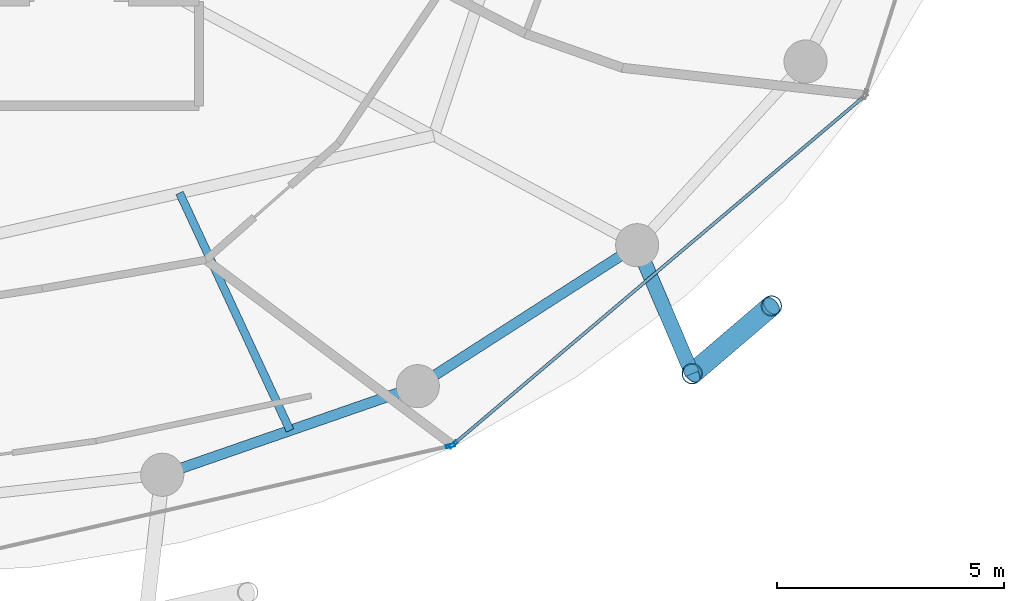
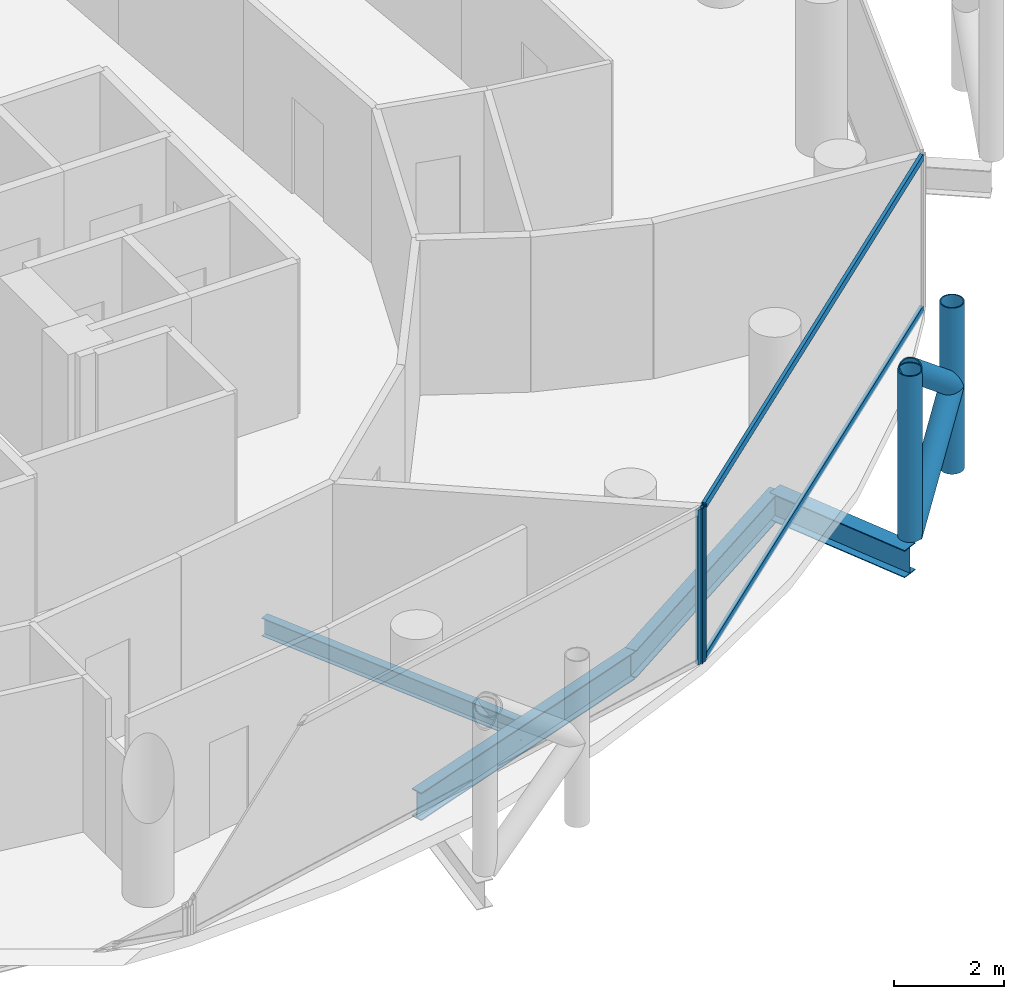
# One storey, part 8 of 26: 8 members, 4 beams, 2 elements without a shape of their own.
"""IFC4 building model written with IfcOpenShell, lengths in metres."""

from ifc_helpers import new_model, si_unit, direction, frame, origin, origin_2d, place, context, subcontext, project, spatial, hollow_rectangle, hollow_circle, i_section, extrude, material, layer, layer_set, material_profile, profile_set, type_object, element, aggregate, save


model = new_model("IFC4")

# Units and contexts
model_context = context("Model", 3, precision=1e-05, world=origin(), true_north=direction((0.0, 1.0)))
body_context = subcontext(model_context, "Body", "Model", "MODEL_VIEW")
ifc_project = project(units=[si_unit("LENGTHUNIT", "METRE"), si_unit("AREAUNIT", "SQUARE_METRE"), si_unit("VOLUMEUNIT", "CUBIC_METRE"), si_unit("PLANEANGLEUNIT", "RADIAN"), si_unit("MASSUNIT", "GRAM", prefix="KILO")], contexts=[model_context])

# Site, building, storey
site_placement = place(None, origin())
site = spatial("IfcSite", under=ifc_project, at=site_placement, CompositionType="ELEMENT")
building_placement = place(site_placement, origin())
building = spatial("IfcBuilding", under=site, at=building_placement, Name="Nuhasar Tower", CompositionType="ELEMENT")
storey_placement = place(building_placement, frame((0.0, 0.0, 133.050048828125)))
storey = spatial("IfcBuildingStorey", under=building, at=storey_placement, Name="L31", CompositionType="ELEMENT", Elevation=133.050048828125)

# Beams
ifc_material_1 = material(Name="Steel S355", Category="steel")
ifc_material_profile_1 = material_profile(ifc_material_1, i_section(OverallWidth=0.177978515625, OverallDepth=0.406005859375, WebThickness=0.0078125, FlangeThickness=0.0126953125, at=origin_2d()), Name="W16X40")
ifc_profile_set_1 = profile_set([ifc_material_profile_1], Name="Steel S355")
beam_type_1 = type_object("IfcBeamType", Name="BM-JST-W16X40", PredefinedType="JOIST", material=ifc_profile_set_1)
beam_1_placement = place(storey_placement, frame((45.424072265625, 14.1279296875, -0.453125), z_axis=(0.421729941201, -0.906721487941, 0.0), x_axis=(0.906721487941, 0.421729941201, 0.0)))
element("IfcBeam", 1, at=beam_1_placement, inside=storey, type_object=beam_type_1, Name="L31 Secondary Floor Joist 02", PredefinedType="JOIST", context=body_context, shape_type="SweptSolid", body=[
    extrude(i_section(OverallWidth=0.177978515625, OverallDepth=0.406005859375, WebThickness=0.0078125, FlangeThickness=0.0126953125, at=origin_2d()), origin(), (0.0, 0.0, 1.0), 5.7734375),
])
ifc_material_profile_2 = material_profile(ifc_material_1, i_section(OverallWidth=0.22998046875, OverallDepth=0.616943359375, WebThickness=0.01318359375, FlangeThickness=0.022216796875, at=origin_2d()), Name="W24X94")
ifc_profile_set_2 = profile_set([ifc_material_profile_2], Name="Steel S355")
beam_type_2 = type_object("IfcBeamType", Name="BM-RING-W24X94", PredefinedType="SPANDREL", material=ifc_profile_set_2)
beam_2_placement = place(storey_placement, frame((45.04296875, 7.916015625, -0.55810546875), z_axis=(0.944814057608, 0.327607076458, 0.0), x_axis=(-0.327607076458, 0.944814057608, 0.0)))
element("IfcBeam", 2, at=beam_2_placement, inside=storey, type_object=beam_type_2, Name="L31 Perimeter Ring Spandrel 20", PredefinedType="SPANDREL", context=body_context, shape_type="SweptSolid", body=[
    extrude(i_section(OverallWidth=0.22998046875, OverallDepth=0.616943359375, WebThickness=0.01318359375, FlangeThickness=0.022216796875, at=origin_2d()), origin(), (0.0, 0.0, 1.0), 5.9609375),
])
beam_3_placement = place(storey_placement, frame((50.675048828125, 9.868896484375, -0.55810546875), z_axis=(0.841308170616, 0.540555789955, 0.0), x_axis=(-0.540555789955, 0.841308170616, 0.0)))
element("IfcBeam", 3, at=beam_3_placement, inside=storey, type_object=beam_type_2, Name="L31 Perimeter Ring Spandrel 21", PredefinedType="SPANDREL", context=body_context, shape_type="SweptSolid", body=[
    extrude(i_section(OverallWidth=0.22998046875, OverallDepth=0.616943359375, WebThickness=0.01318359375, FlangeThickness=0.022216796875, at=origin_2d()), origin(), (0.0, 0.0, 1.0), 5.748046875),
])
ifc_material_profile_3 = material_profile(ifc_material_1, i_section(OverallWidth=0.323974609375, OverallDepth=0.611083984375, WebThickness=0.0126953125, FlangeThickness=0.01904296875, at=origin_2d()), Name="W24X104")
ifc_profile_set_3 = profile_set([ifc_material_profile_3], Name="Steel S355")
beam_type_3 = type_object("IfcBeamType", Name="BM-TIE-W24X104", PredefinedType="BEAM", material=ifc_profile_set_3)
beam_4_placement = place(storey_placement, frame((55.510986328125, 12.97607421875, -0.554931640625), z_axis=(0.39330721304, -0.919407111225, 0.0), x_axis=(0.919407111225, 0.39330721304, 0.0)))
element("IfcBeam", 4, at=beam_4_placement, inside=storey, type_object=beam_type_3, Name="L31 Exoskeleton Node Tie Beam 11", PredefinedType="BEAM", context=body_context, shape_type="SweptSolid", body=[
    extrude(i_section(OverallWidth=0.323974609375, OverallDepth=0.611083984375, WebThickness=0.0126953125, FlangeThickness=0.01904296875, at=origin_2d()), origin(), (0.0, 0.0, 1.0), 3.081298828125),
])

# Curtain wall, member
ifc_material_2 = material(Name="Aluminium 6063-T6", Category="aluminium")
ifc_layer = layer(ifc_material_2, 0.199951171875)
ifc_layer_set = layer_set([ifc_layer], Name="Aluminium 6063-T6")
curtain_wall_type = type_object("IfcCurtainWallType", Name="CW-Z2-HTL", PredefinedType="NOTDEFINED", material=ifc_layer_set)
curtain_wall_1_placement = place(storey_placement, origin())
curtain_wall_1 = element("IfcCurtainWall", 5, at=curtain_wall_1_placement, inside=storey, type_object=curtain_wall_type, Name="L31 Unitised Curtain Wall 10", PredefinedType="NOTDEFINED")
ifc_material_profile_4 = material_profile(ifc_material_2, hollow_rectangle(XDim=0.070068359375, YDim=0.199951171875, WallThickness=0.0048828125, at=origin_2d()), Name="CWM-3")
ifc_profile_set_4 = profile_set([ifc_material_profile_4], Name="Aluminium 6063-T6")
member_type_1 = type_object("IfcMemberType", Name="CW-MUL-S3", PredefinedType="MULLION", material=ifc_profile_set_4)
member_1_placement = place(storey_placement, frame((51.395751953125, 8.55419921875, 0.0), z_axis=(0.0, 0.0, 1.0), x_axis=(-0.22139729566, 0.975183694221, 0.0)))
member_1 = element("IfcMember", 6, at=member_1_placement, type_object=member_type_1, Name="CW-Z2 mullion 2", PredefinedType="MULLION", context=body_context, shape_type="SweptSolid", body=[
    extrude(hollow_rectangle(XDim=0.070068359375, YDim=0.199951171875, WallThickness=0.0048828125, at=origin_2d()), origin(), (0.0, 0.0, 1.0), 3.449951171875),
])
aggregate(curtain_wall_1, [member_1])

# Curtain wall, members
curtain_wall_2_placement = place(storey_placement, origin())
curtain_wall_2 = element("IfcCurtainWall", 7, at=curtain_wall_2_placement, inside=storey, type_object=curtain_wall_type, Name="L31 Unitised Curtain Wall 11", PredefinedType="NOTDEFINED")
member_2_placement = place(storey_placement, frame((51.456787109375, 8.584716796875, 0.0), z_axis=(0.0, 0.0, 1.0), x_axis=(-0.646374438324, 0.763020370292, 0.0)))
member_2 = element("IfcMember", 8, at=member_2_placement, type_object=member_type_1, Name="CW-Z2 mullion 1", PredefinedType="MULLION", context=body_context, shape_type="SweptSolid", body=[
    extrude(hollow_rectangle(XDim=0.070068359375, YDim=0.199951171875, WallThickness=0.0048828125, at=origin_2d()), origin(), (0.0, 0.0, 1.0), 3.449951171875),
])
ifc_material_profile_5 = material_profile(ifc_material_2, hollow_rectangle(XDim=0.070068359375, YDim=0.159912109375, WallThickness=0.00439453125, at=origin_2d()), Name="CWT-3")
ifc_profile_set_5 = profile_set([ifc_material_profile_5], Name="Aluminium 6063-T6")
member_type_2 = type_object("IfcMemberType", Name="CW-TRN-S3", PredefinedType="USERDEFINED", material=ifc_profile_set_5)
member_3_placement = place(storey_placement, frame((51.4833984375, 8.607177734375, 0.034912109375), z_axis=(0.763013698099, 0.646382314511, 0.0), x_axis=(-0.646382314511, 0.763013698099, 0.0)))
member_3 = element("IfcMember", 9, at=member_3_placement, type_object=member_type_2, Name="CW-Z2 transom 1.1", ObjectType="TRANSOM", PredefinedType="USERDEFINED", context=body_context, shape_type="SweptSolid", body=[
    extrude(hollow_rectangle(XDim=0.070068359375, YDim=0.159912109375, WallThickness=0.00439453125, at=origin_2d()), origin(), (0.0, 0.0, 1.0), 11.78515625),
])
member_4_placement = place(storey_placement, frame((51.4833984375, 8.607177734375, 3.4150390625), z_axis=(0.763013698099, 0.646382314511, 0.0), x_axis=(-0.646382314511, 0.763013698099, 0.0)))
member_4 = element("IfcMember", 10, at=member_4_placement, type_object=member_type_2, Name="CW-Z2 transom 1.2", ObjectType="TRANSOM", PredefinedType="USERDEFINED", context=body_context, shape_type="SweptSolid", body=[
    extrude(hollow_rectangle(XDim=0.070068359375, YDim=0.159912109375, WallThickness=0.00439453125, at=origin_2d()), origin(), (0.0, 0.0, 1.0), 11.78515625),
])
aggregate(curtain_wall_2, [member_2, member_3, member_4])

# Members
ifc_material_3 = material(Name="Steel S460", Category="steel")
ifc_material_profile_6 = material_profile(ifc_material_3, hollow_circle(Radius=0.228515625, WallThickness=0.022216796875, at=origin_2d()), Name="HSS457X22.2")
ifc_profile_set_6 = profile_set([ifc_material_profile_6], Name="Steel S460")
member_type_3 = type_object("IfcMemberType", Name="EXO-BRONZE-457", PredefinedType="BRACE", material=ifc_profile_set_6)
for number, where, z_axis, x_axis, name in (
    (11, (56.722900390625, 10.14306640625, 0.0), (0.0, 0.0, 1.0), (1.0, 0.0, 0.0), "L31 Exoskeleton Chord Column EC-11A"),
    (12, (58.470947265625, 11.637939453125, 0.0), (0.0, 0.0, 1.0), (1.0, 0.0, 0.0), "L31 Exoskeleton Chord Column EC-11B"),
):
    element("IfcMember", number, at=place(storey_placement, frame(where, z_axis=z_axis, x_axis=x_axis)), inside=storey, type_object=member_type_3, Name=name, PredefinedType="BRACE", context=body_context, shape_type="SweptSolid", body=[
        extrude(hollow_circle(Radius=0.228515625, WallThickness=0.022216796875, at=origin_2d()), origin(), (0.0, 0.0, 1.0), 3.699951171875),
    ])
member_5_placement = place(storey_placement, frame((56.722900390625, 10.14306640625, 0.0), z_axis=(0.592225874743, 0.506452378638, 0.626717242029), x_axis=(-0.649925557156, 0.7599978751, 0.0)))
element("IfcMember", 13, at=member_5_placement, inside=storey, type_object=member_type_3, Name="L31 Bronze Diagrid Brace W1-11", PredefinedType="BRACE", context=body_context, shape_type="SweptSolid", body=[
    extrude(hollow_circle(Radius=0.228515625, WallThickness=0.022216796875, at=origin_2d()), origin(), (0.0, 0.0, 1.0), 2.95166015625),
])
member_6_placement = place(storey_placement, frame((58.470947265625, 11.637939453125, 1.849853515625), z_axis=(-0.592195175458, -0.506426125604, 0.626767463634), x_axis=(0.649925557156, -0.7599978751, 0.0)))
element("IfcMember", 14, at=member_6_placement, inside=storey, type_object=member_type_3, Name="L31 Bronze Diagrid Brace W2-11", PredefinedType="BRACE", context=body_context, shape_type="SweptSolid", body=[
    extrude(hollow_circle(Radius=0.228515625, WallThickness=0.022216796875, at=origin_2d()), origin(), (0.0, 0.0, 1.0), 2.951904296875),
])

save(model, "model.ifc")
